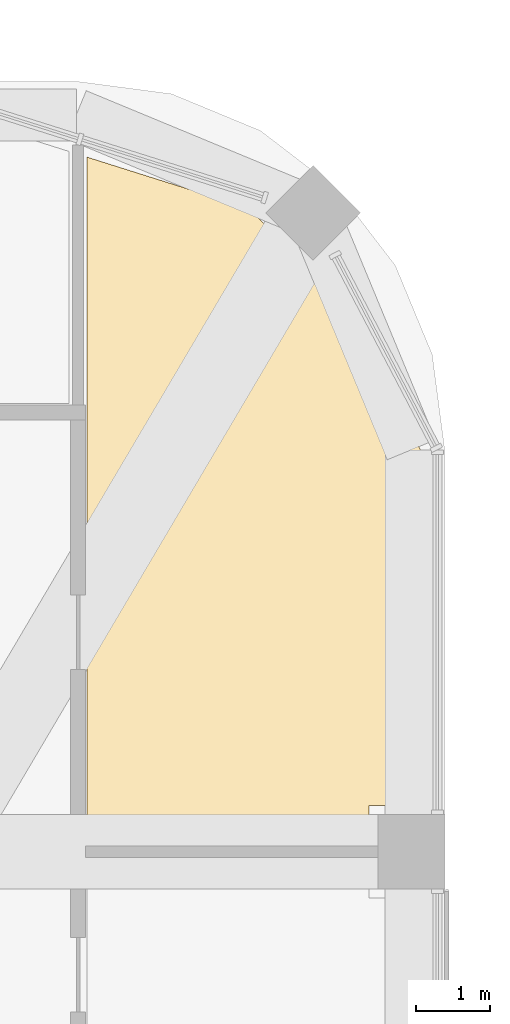
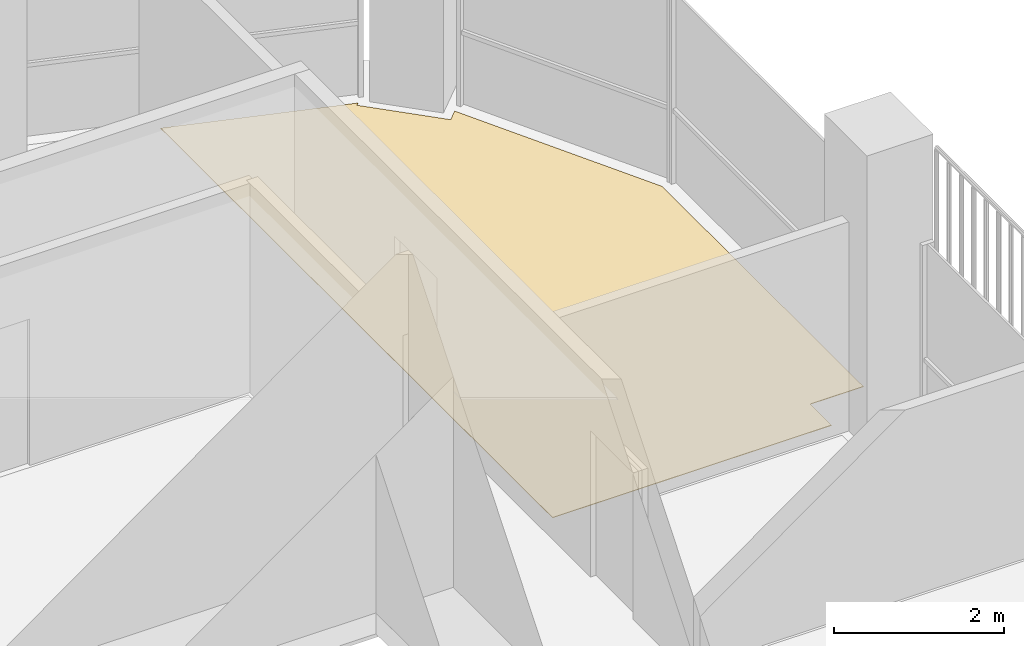
# One storey, part 19 of 20: 1 covering.
"""IFC4 building model written with IfcOpenShell, lengths in metres."""

from ifc_helpers import new_model, si_unit, direction, frame, origin, place, context, subcontext, project, spatial, polyline, outline, extrude, material, layer, layer_set, type_object, element, save


model = new_model("IFC4")

# Units and contexts
model_context = context("Model", 3, precision=1e-05, world=origin(), true_north=direction((0.0, 1.0)))
body_context = subcontext(model_context, "Body", "Model", "MODEL_VIEW")
ifc_project = project(units=[si_unit("LENGTHUNIT", "METRE"), si_unit("AREAUNIT", "SQUARE_METRE"), si_unit("VOLUMEUNIT", "CUBIC_METRE"), si_unit("PLANEANGLEUNIT", "RADIAN"), si_unit("MASSUNIT", "GRAM", prefix="KILO")], contexts=[model_context])

# Site, building, storey
site_placement = place(None, origin())
site = spatial("IfcSite", under=ifc_project, at=site_placement, CompositionType="ELEMENT")
building_placement = place(site_placement, origin())
building = spatial("IfcBuilding", under=site, at=building_placement, Name="Cobogo Forest Laboratory Tower", CompositionType="ELEMENT")
storey_placement = place(building_placement, frame((0.0, 0.0, 279.60009765625)))
storey = spatial("IfcBuildingStorey", under=building, at=storey_placement, Name="L64", CompositionType="ELEMENT", Elevation=279.60009765625)

# Covering
ifc_material = material(Name="Carpet tile on raised access floor", Category="flooring")
ifc_layer = layer(ifc_material, 0.008056640625)
ifc_layer_set = layer_set([ifc_layer], Name="CT1 carpet tile floor 8")
covering_type = type_object("IfcCoveringType", Name="CT1 carpet tile floor 8", PredefinedType="FLOORING", material=ifc_layer_set)
covering_placement = place(storey_placement, origin())
element("IfcCovering", 1, at=covering_placement, inside=storey, type_object=covering_type, Name="Carpet floor L64-19", PredefinedType="FLOORING", context=body_context, shape_type="SweptSolid", body=[
    extrude(outline(polyline([(41.844970703125, 42.331298828125), (44.10986328125, 41.615966796875), (44.075927734375, 41.58203125), (44.882080078125, 40.77587890625), (45.010986328125, 40.905029296875), (46.35009765625, 38.350830078125), (46.35009765625, 33.6201171875), (45.6298828125, 33.6201171875), (45.6298828125, 33.1201171875), (41.844970703125, 33.1201171875), (41.844970703125, 42.331298828125)])), origin(), (0.0, 0.0, 1.0), 0.0078125),
])

save(model, "model.ifc")
